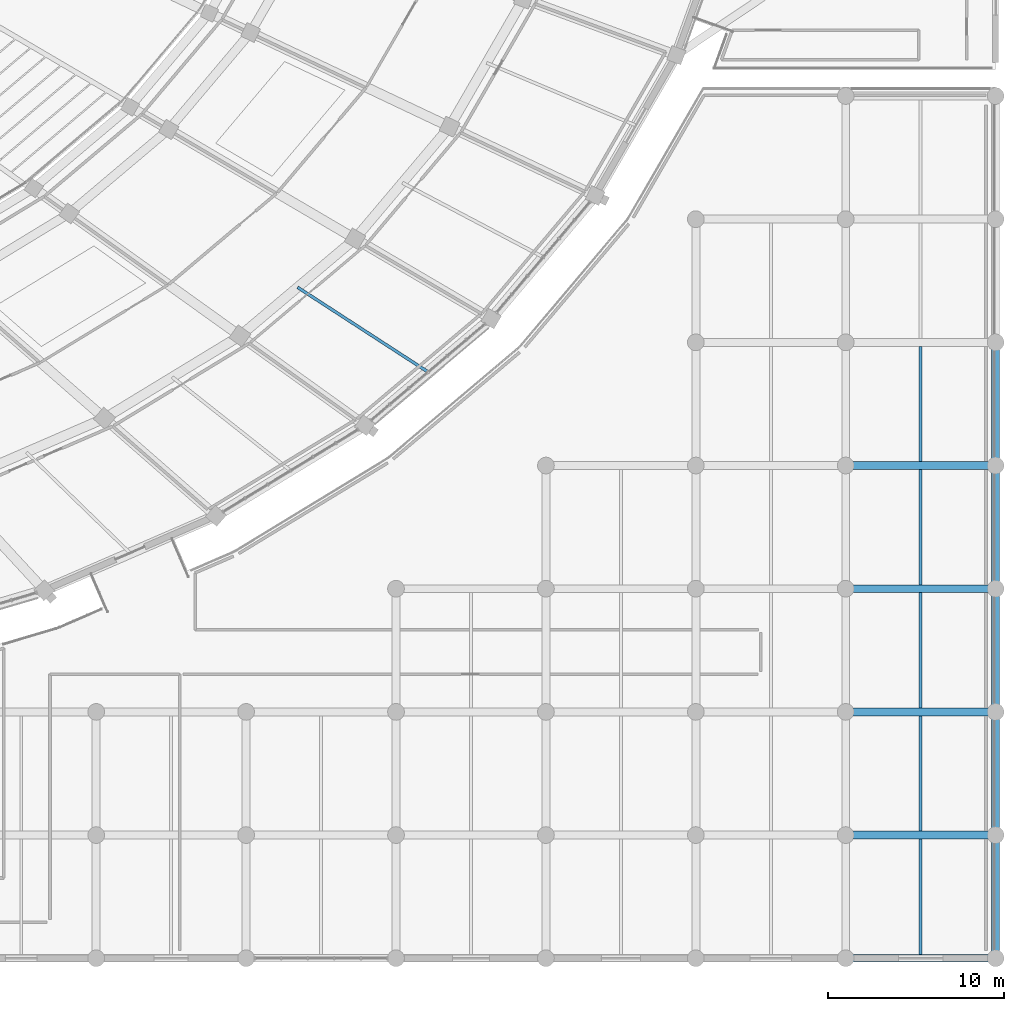
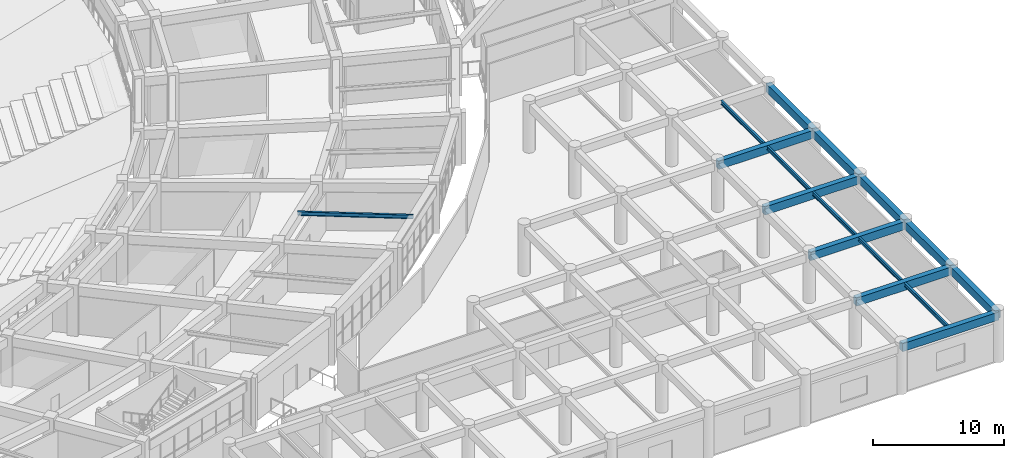
# One storey, part 43 of 152: 16 beams.
"""IFC4 building model written with IfcOpenShell, lengths in metres."""

from ifc_helpers import new_model, si_unit, direction, frame, origin, origin_2d, place, context, subcontext, project, spatial, rectangle, i_section, extrude, material, material_profile, profile_set, type_object, element, save


model = new_model("IFC4")

# Units and contexts
model_context = context("Model", 3, precision=1e-05, world=origin(), true_north=direction((0.0, 1.0)))
body_context = subcontext(model_context, "Body", "Model", "MODEL_VIEW")
ifc_project = project(units=[si_unit("LENGTHUNIT", "METRE"), si_unit("AREAUNIT", "SQUARE_METRE"), si_unit("VOLUMEUNIT", "CUBIC_METRE"), si_unit("PLANEANGLEUNIT", "RADIAN"), si_unit("MASSUNIT", "GRAM", prefix="KILO")], contexts=[model_context])

# Site, building, storey
site_placement = place(None, origin())
site = spatial("IfcSite", under=ifc_project, at=site_placement, CompositionType="ELEMENT")
building_placement = place(site_placement, origin())
building = spatial("IfcBuilding", under=site, at=building_placement, Name="Mphavela Belvedere Stadium", CompositionType="ELEMENT")
storey_placement = place(building_placement, frame((0.0, 0.0, 5.39990234375)))
storey = spatial("IfcBuildingStorey", under=building, at=storey_placement, Name="L01", CompositionType="ELEMENT", Elevation=5.39990234375)

# Beams
ifc_material_1 = material(Name="Steel S355", Category="steel")
ifc_material_profile_1 = material_profile(ifc_material_1, i_section(OverallWidth=0.169921875, OverallDepth=0.360107421875, WebThickness=0.008056640625, FlangeThickness=0.0126953125, at=origin_2d()), Name="IPE 360")
ifc_profile_set_1 = profile_set([ifc_material_profile_1], Name="Steel S355")
beam_type_1 = type_object("IfcBeamType", Name="BM-JOIST-IPE360", PredefinedType="JOIST", material=ifc_profile_set_1)
beam_placement = place(storey_placement, frame((190.330810546875, 38.127197265625, 4.3701171875), z_axis=(0.838915278194, -0.544262028818, 0.0), x_axis=(0.544262028818, 0.838915278194, 0.0)))
element("IfcBeam", 1, at=beam_placement, inside=storey, type_object=beam_type_1, Name="Concourse floor joist L01-43", PredefinedType="JOIST", context=body_context, shape_type="SweptSolid", body=[
    extrude(i_section(OverallWidth=0.169921875, OverallDepth=0.360107421875, WebThickness=0.008056640625, FlangeThickness=0.0126953125, at=origin_2d()), origin(), (0.0, 0.0, 1.0), 8.840087890625),
])
for number, where, z_axis, x_axis, name in (
    (2, (225.740478515625, 0.22509765625, 4.360107421875), (0.0, 1.0, 0.0), (-1.0, 0.0, 0.0), "South Axial Triumphal Peristyle Portico secondary joist L01 27-1"),
    (3, (225.740478515625, 7.22509765625, 4.360107421875), (0.0, 1.0, 0.0), (-1.0, 0.0, 0.0), "South Axial Triumphal Peristyle Portico secondary joist L01 27-2"),
    (4, (225.740478515625, 14.22509765625, 4.360107421875), (0.0, 1.0, 0.0), (-1.0, 0.0, 0.0), "South Axial Triumphal Peristyle Portico secondary joist L01 27-3"),
    (5, (225.740478515625, 21.22509765625, 4.360107421875), (0.0, 1.0, 0.0), (-1.0, 0.0, 0.0), "South Axial Triumphal Peristyle Portico secondary joist L01 27-4"),
    (6, (225.740478515625, 28.22509765625, 4.360107421875), (0.0, 1.0, 0.0), (-1.0, 0.0, 0.0), "South Axial Triumphal Peristyle Portico secondary joist L01 27-5"),
):
    element("IfcBeam", number, at=place(storey_placement, frame(where, z_axis=z_axis, x_axis=x_axis)), inside=storey, type_object=beam_type_1, Name=name, PredefinedType="JOIST", context=body_context, shape_type="SweptSolid", body=[
        extrude(i_section(OverallWidth=0.169921875, OverallDepth=0.360107421875, WebThickness=0.008056640625, FlangeThickness=0.0126953125, at=origin_2d()), origin(), (0.0, 0.0, 1.0), 6.5498046875),
    ])
ifc_material_2 = material(Name="Concrete C40/50", Category="concrete")
ifc_material_profile_2 = material_profile(ifc_material_2, rectangle(XDim=0.449951171875, YDim=0.75, at=origin_2d()), Name="RC 450x750")
ifc_profile_set_2 = profile_set([ifc_material_profile_2], Name="Concrete C40/50")
beam_type_2 = type_object("IfcBeamType", Name="BM-RC450x750", PredefinedType="BEAM", material=ifc_profile_set_2)
for number, where, z_axis, x_axis, name in (
    (7, (221.48095703125, 0.0, 4.1650390625), (1.0, 0.0, 0.0), (0.0, 1.0, 0.0), "South Axial Triumphal Peristyle Portico entablature beam X L01 27-1"),
    (8, (221.48095703125, 7.0, 4.1650390625), (1.0, 0.0, 0.0), (0.0, 1.0, 0.0), "South Axial Triumphal Peristyle Portico entablature beam X L01 27-2"),
    (9, (221.48095703125, 14.0, 4.1650390625), (1.0, 0.0, 0.0), (0.0, 1.0, 0.0), "South Axial Triumphal Peristyle Portico entablature beam X L01 27-3"),
    (10, (221.48095703125, 21.0, 4.1650390625), (1.0, 0.0, 0.0), (0.0, 1.0, 0.0), "South Axial Triumphal Peristyle Portico entablature beam X L01 27-4"),
    (11, (221.48095703125, 28.0, 4.1650390625), (1.0, 0.0, 0.0), (0.0, 1.0, 0.0), "South Axial Triumphal Peristyle Portico entablature beam X L01 27-5"),
):
    element("IfcBeam", number, at=place(storey_placement, frame(where, z_axis=z_axis, x_axis=x_axis)), inside=storey, type_object=beam_type_2, Name=name, PredefinedType="BEAM", context=body_context, shape_type="SweptSolid", body=[
        extrude(rectangle(XDim=0.449951171875, YDim=0.75, at=origin_2d()), origin(), (0.0, 0.0, 1.0), 8.51904296875),
    ])
for number, where, z_axis, x_axis, name in (
    (12, (230.0, 0.0, 4.1650390625), (0.0, 1.0, 0.0), (-1.0, 0.0, 0.0), "South Axial Triumphal Peristyle Portico entablature beam Y L01 28-1"),
    (13, (230.0, 7.0, 4.1650390625), (0.0, 1.0, 0.0), (-1.0, 0.0, 0.0), "South Axial Triumphal Peristyle Portico entablature beam Y L01 28-2"),
    (14, (230.0, 14.0, 4.1650390625), (0.0, 1.0, 0.0), (-1.0, 0.0, 0.0), "South Axial Triumphal Peristyle Portico entablature beam Y L01 28-3"),
    (15, (230.0, 21.0, 4.1650390625), (0.0, 1.0, 0.0), (-1.0, 0.0, 0.0), "South Axial Triumphal Peristyle Portico entablature beam Y L01 28-4"),
    (16, (230.0, 28.0, 4.1650390625), (0.0, 1.0, 0.0), (-1.0, 0.0, 0.0), "South Axial Triumphal Peristyle Portico entablature beam Y L01 28-5"),
):
    element("IfcBeam", number, at=place(storey_placement, frame(where, z_axis=z_axis, x_axis=x_axis)), inside=storey, type_object=beam_type_2, Name=name, PredefinedType="BEAM", context=body_context, shape_type="SweptSolid", body=[
        extrude(rectangle(XDim=0.449951171875, YDim=0.75, at=origin_2d()), origin(), (0.0, 0.0, 1.0), 7.0),
    ])

save(model, "model.ifc")
